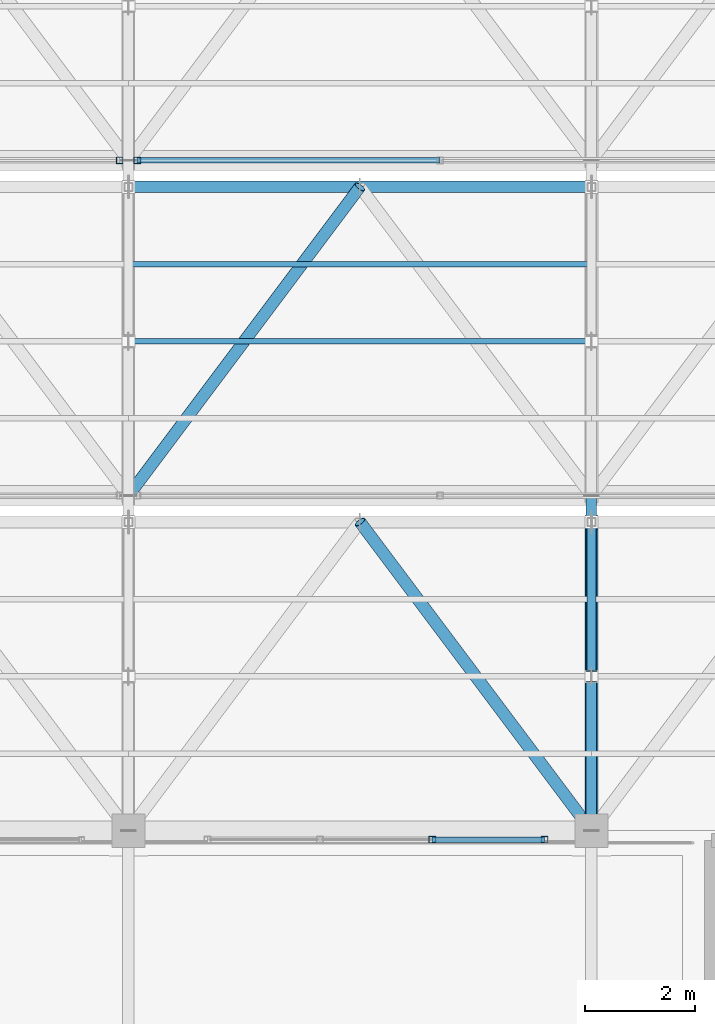
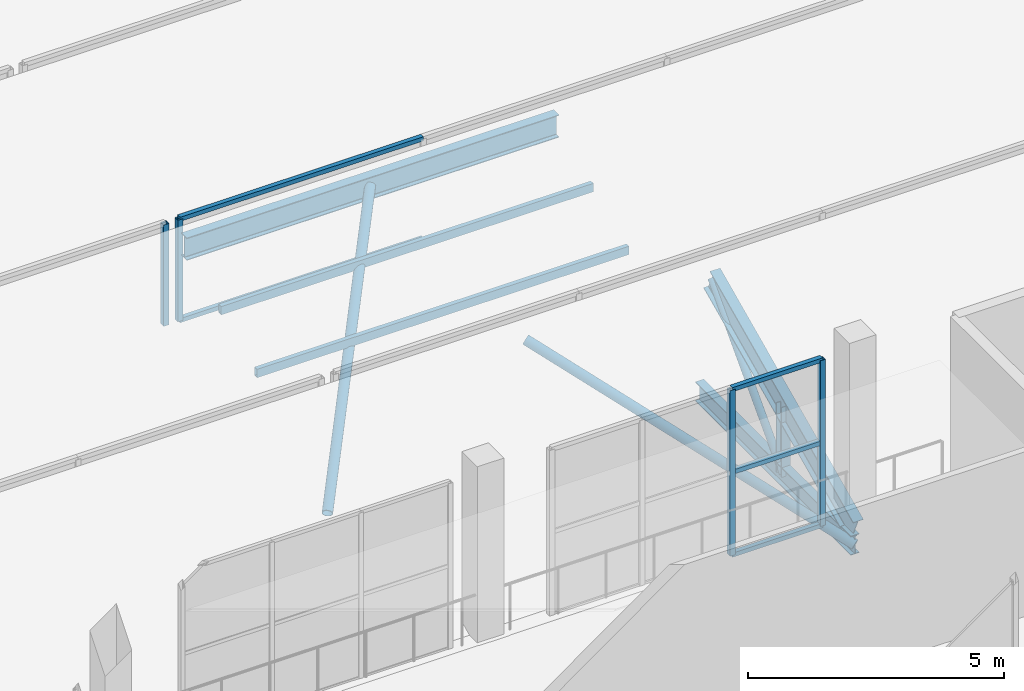
# One storey, part 80 of 217: 18 members, 3 elements without a shape of their own.
"""IFC4 building model written with IfcOpenShell, lengths in metres."""

from ifc_helpers import new_model, si_unit, direction, frame, origin, origin_2d, place, context, subcontext, project, spatial, hollow_rectangle, hollow_circle, i_section, extrude, material, material_profile, profile_set, type_object, element, aggregate, save


model = new_model("IFC4")

# Units and contexts
model_context = context("Model", 3, precision=1e-05, world=origin(), true_north=direction((0.0, 1.0)))
body_context = subcontext(model_context, "Body", "Model", "MODEL_VIEW")
ifc_project = project(units=[si_unit("LENGTHUNIT", "METRE"), si_unit("AREAUNIT", "SQUARE_METRE"), si_unit("VOLUMEUNIT", "CUBIC_METRE"), si_unit("PLANEANGLEUNIT", "RADIAN"), si_unit("MASSUNIT", "GRAM", prefix="KILO")], contexts=[model_context])

# Site, building, storey
site_placement = place(None, origin())
site = spatial("IfcSite", under=ifc_project, at=site_placement, CompositionType="ELEMENT")
building_placement = place(site_placement, origin())
building = spatial("IfcBuilding", under=site, at=building_placement, Name="Zuvorla Pavilion Media Centre", CompositionType="ELEMENT")
storey_placement = place(building_placement, frame((0.0, 0.0, 9.60009765625)))
storey = spatial("IfcBuildingStorey", under=building, at=storey_placement, Name="L02", CompositionType="ELEMENT", Elevation=9.60009765625)

# Curtain wall, members
ifc_material_1 = material(Name="Unitised anodised aluminium and solar glass curtain wall", Category="aluminium")
curtain_wall_type_1 = type_object("IfcCurtainWallType", Name="CW-SYS-14", PredefinedType="USERDEFINED", material=ifc_material_1)
curtain_wall_1_placement = place(storey_placement, origin())
curtain_wall_1 = element("IfcCurtainWall", 1, at=curtain_wall_1_placement, inside=storey, type_object=curtain_wall_type_1, Name="L02 curtain wall CW14 19", ObjectType="CURTAIN WALL", PredefinedType="USERDEFINED")
ifc_material_2 = material(Name="Anodised aluminium 6063-T6", Category="aluminium")
ifc_material_profile_1 = material_profile(ifc_material_2, hollow_rectangle(XDim=0.1201171875, YDim=0.1201171875, WallThickness=0.0048828125, at=origin_2d()), Name="ALU MULL 120x120")
ifc_profile_set_1 = profile_set([ifc_material_profile_1], Name="Anodised aluminium 6063-T6")
member_type_1 = type_object("IfcMemberType", Name="CW-MULL-120", PredefinedType="MULLION", material=ifc_profile_set_1)
member_1_placement = place(storey_placement, frame((91.149658203125, 89.43994140625, 0.0), z_axis=(0.0, 0.0, 1.0), x_axis=(1.0, 0.0, 0.0)))
member_1 = element("IfcMember", 2, at=member_1_placement, type_object=member_type_1, Name="CW14 mullion 1", PredefinedType="MULLION", context=body_context, shape_type="SweptSolid", body=[
    extrude(hollow_rectangle(XDim=0.1201171875, YDim=0.1201171875, WallThickness=0.0048828125, at=origin_2d()), origin(), (0.0, 0.0, 1.0), 3.949951171875),
])
member_2_placement = place(storey_placement, frame((89.111572265625, 89.43994140625, 0.0), z_axis=(0.0, 0.0, 1.0), x_axis=(1.0, 0.0, 0.0)))
member_2 = element("IfcMember", 3, at=member_2_placement, type_object=member_type_1, Name="CW14 mullion 2", PredefinedType="MULLION", context=body_context, shape_type="SweptSolid", body=[
    extrude(hollow_rectangle(XDim=0.1201171875, YDim=0.1201171875, WallThickness=0.0048828125, at=origin_2d()), origin(), (0.0, 0.0, 1.0), 3.949951171875),
])

# Curtain wall, member
curtain_wall_type_2 = type_object("IfcCurtainWallType", Name="CW-SYS-88", PredefinedType="USERDEFINED", material=ifc_material_1)
curtain_wall_2_placement = place(storey_placement, origin())
curtain_wall_2 = element("IfcCurtainWall", 4, at=curtain_wall_2_placement, inside=storey, type_object=curtain_wall_type_2, Name="L02 curtain wall CW88 204", ObjectType="CURTAIN WALL", PredefinedType="USERDEFINED")
member_3_placement = place(storey_placement, frame((83.43994140625, 101.760009765625, 0.0), z_axis=(0.0, 0.0, 1.0), x_axis=(1.0, 0.0, 0.0)))
member_3 = element("IfcMember", 5, at=member_3_placement, type_object=member_type_1, Name="CW88 mullion 4", PredefinedType="MULLION", context=body_context, shape_type="SweptSolid", body=[
    extrude(hollow_rectangle(XDim=0.1201171875, YDim=0.1201171875, WallThickness=0.0048828125, at=origin_2d()), origin(), (0.0, 0.0, 1.0), 2.419921875),
])
aggregate(curtain_wall_2, [member_3])

curtain_wall_3_placement = place(storey_placement, origin())
curtain_wall_3 = element("IfcCurtainWall", 6, at=curtain_wall_3_placement, inside=storey, type_object=curtain_wall_type_2, Name="L02 curtain wall CW88 205", ObjectType="CURTAIN WALL", PredefinedType="USERDEFINED")
member_4_placement = place(storey_placement, frame((83.760009765625, 101.760009765625, 0.0), z_axis=(0.0, 0.0, 1.0), x_axis=(1.0, 0.0, 0.0)))
member_4 = element("IfcMember", 7, at=member_4_placement, type_object=member_type_1, Name="CW88 mullion 1", PredefinedType="MULLION", context=body_context, shape_type="SweptSolid", body=[
    extrude(hollow_rectangle(XDim=0.1201171875, YDim=0.1201171875, WallThickness=0.0048828125, at=origin_2d()), origin(), (0.0, 0.0, 1.0), 2.419921875),
])

# Member
ifc_material_profile_2 = material_profile(ifc_material_2, hollow_rectangle(XDim=0.10009765625, YDim=0.10009765625, WallThickness=0.00439453125, at=origin_2d()), Name="ALU TRAN 100x100")
ifc_profile_set_2 = profile_set([ifc_material_profile_2], Name="Anodised aluminium 6063-T6")
member_type_2 = type_object("IfcMemberType", Name="CW-TRAN-100", PredefinedType="USERDEFINED", material=ifc_profile_set_2)
member_5_placement = place(storey_placement, frame((91.149658203125, 89.43994140625, 0.0), z_axis=(-1.0, 0.0, 0.0), x_axis=(0.0, -1.0, 0.0)))
member_5 = element("IfcMember", 8, at=member_5_placement, type_object=member_type_2, Name="CW14 transom 1.1", ObjectType="TRANSOM", PredefinedType="USERDEFINED", context=body_context, shape_type="SweptSolid", body=[
    extrude(hollow_rectangle(XDim=0.10009765625, YDim=0.10009765625, WallThickness=0.00439453125, at=origin_2d()), origin(), (0.0, 0.0, 1.0), 2.0380859375),
])

member_6_placement = place(storey_placement, frame((91.149658203125, 89.43994140625, 1.974853515625), z_axis=(-1.0, 0.0, 0.0), x_axis=(0.0, -1.0, 0.0)))
member_6 = element("IfcMember", 9, at=member_6_placement, type_object=member_type_2, Name="CW14 transom 1.2", ObjectType="TRANSOM", PredefinedType="USERDEFINED", context=body_context, shape_type="SweptSolid", body=[
    extrude(hollow_rectangle(XDim=0.10009765625, YDim=0.10009765625, WallThickness=0.00439453125, at=origin_2d()), origin(), (0.0, 0.0, 1.0), 2.0380859375),
])

member_7_placement = place(storey_placement, frame((91.149658203125, 89.43994140625, 3.949951171875), z_axis=(-1.0, 0.0, 0.0), x_axis=(0.0, -1.0, 0.0)))
member_7 = element("IfcMember", 10, at=member_7_placement, type_object=member_type_2, Name="CW14 transom 1.3", ObjectType="TRANSOM", PredefinedType="USERDEFINED", context=body_context, shape_type="SweptSolid", body=[
    extrude(hollow_rectangle(XDim=0.10009765625, YDim=0.10009765625, WallThickness=0.00439453125, at=origin_2d()), origin(), (0.0, 0.0, 1.0), 2.0380859375),
])

aggregate(curtain_wall_1, [member_1, member_2, member_5, member_6, member_7])

member_8_placement = place(storey_placement, frame((83.760009765625, 101.760009765625, 0.0), z_axis=(1.0, 0.0, 0.0), x_axis=(0.0, 1.0, 0.0)))
member_8 = element("IfcMember", 11, at=member_8_placement, type_object=member_type_2, Name="CW88 transom 1.1", ObjectType="TRANSOM", PredefinedType="USERDEFINED", context=body_context, shape_type="SweptSolid", body=[
    extrude(hollow_rectangle(XDim=0.10009765625, YDim=0.10009765625, WallThickness=0.00439453125, at=origin_2d()), origin(), (0.0, 0.0, 1.0), 5.493408203125),
])

member_9_placement = place(storey_placement, frame((83.760009765625, 101.760009765625, 2.419921875), z_axis=(1.0, 0.0, 0.0), x_axis=(0.0, 1.0, 0.0)))
member_9 = element("IfcMember", 12, at=member_9_placement, type_object=member_type_2, Name="CW88 transom 1.2", ObjectType="TRANSOM", PredefinedType="USERDEFINED", context=body_context, shape_type="SweptSolid", body=[
    extrude(hollow_rectangle(XDim=0.10009765625, YDim=0.10009765625, WallThickness=0.00439453125, at=origin_2d()), origin(), (0.0, 0.0, 1.0), 5.493408203125),
])

aggregate(curtain_wall_3, [member_4, member_8, member_9])

# Members
ifc_material_3 = material(Name="Steel S355", Category="steel")
ifc_material_profile_3 = material_profile(ifc_material_3, hollow_circle(Radius=0.084228515625, WallThickness=0.008056640625, at=origin_2d()), Name="CHS 168.3x8")
ifc_profile_set_3 = profile_set([ifc_material_profile_3], Name="Steel S355")
member_type_3 = type_object("IfcMemberType", Name="MEM-BRC-CHS168", PredefinedType="BRACE", material=ifc_profile_set_3)
member_10_placement = place(storey_placement, frame((92.0, 92.39990234375, -0.880126953125), z_axis=(0.0, 0.68676242614, 0.726881950555), x_axis=(-1.0, 0.0, 0.0)))
element("IfcMember", 13, at=member_10_placement, inside=storey, type_object=member_type_3, Name="L02 diagonal brace TB03 51", PredefinedType="BRACE", context=body_context, shape_type="SweptSolid", body=[
    extrude(hollow_circle(Radius=0.084228515625, WallThickness=0.008056640625, at=origin_2d()), origin(), (0.0, 0.0, 1.0), 4.0771484375),
])
ifc_material_profile_4 = material_profile(ifc_material_3, hollow_circle(Radius=0.109619140625, WallThickness=0.010009765625, at=origin_2d()), Name="CHS 219.1x10")
ifc_profile_set_4 = profile_set([ifc_material_profile_4], Name="Steel S355")
member_type_4 = type_object("IfcMemberType", Name="MEM-BRC-CHS219", PredefinedType="BRACE", material=ifc_profile_set_4)
member_11_placement = place(storey_placement, frame((87.800048828125, 95.199951171875, 2.08349609375), z_axis=(0.552524670006, -0.736688854033, -0.389879495972), x_axis=(0.799995814625, 0.600005580459, 0.0)))
element("IfcMember", 14, at=member_11_placement, inside=storey, type_object=member_type_4, Name="L02 diagonal brace TB02 92", PredefinedType="BRACE", context=body_context, shape_type="SweptSolid", body=[
    extrude(hollow_circle(Radius=0.109619140625, WallThickness=0.010009765625, at=origin_2d()), origin(), (0.0, 0.0, 1.0), 7.601318359375),
])
member_12_placement = place(storey_placement, frame((83.60009765625, 95.679931640625, -0.880126953125), z_axis=(0.552511596944, 0.736703540702, 0.389870271191), x_axis=(-0.800008370399, 0.599988839305, 0.0)))
element("IfcMember", 15, at=member_12_placement, inside=storey, type_object=member_type_4, Name="L02 diagonal brace TB02 184", PredefinedType="BRACE", context=body_context, shape_type="SweptSolid", body=[
    extrude(hollow_circle(Radius=0.109619140625, WallThickness=0.010009765625, at=origin_2d()), origin(), (0.0, 0.0, 1.0), 7.6015625),
])
ifc_material_profile_5 = material_profile(ifc_material_3, i_section(OverallWidth=0.19140625, OverallDepth=0.4599609375, WebThickness=0.010009765625, FlangeThickness=0.01611328125, FilletRadius=0.01025390625, at=origin_2d()), Name="UB 457x191x82")
ifc_profile_set_5 = profile_set([ifc_material_profile_5], Name="Steel S355")
member_type_5 = type_object("IfcMemberType", Name="MEM-CHD-UB457", PredefinedType="CHORD", material=ifc_profile_set_5)
member_13_placement = place(storey_placement, frame((92.0, 89.60009765625, -0.880126953125), z_axis=(0.0, 1.0, 0.0), x_axis=(-1.0, 0.0, 0.0)))
element("IfcMember", 16, at=member_13_placement, inside=storey, type_object=member_type_5, Name="L02 chord TC03 48", PredefinedType="CHORD", context=body_context, shape_type="SweptSolid", body=[
    extrude(i_section(OverallWidth=0.19140625, OverallDepth=0.4599609375, WebThickness=0.010009765625, FlangeThickness=0.01611328125, FilletRadius=0.01025390625, at=origin_2d()), origin(), (0.0, 0.0, 1.0), 6.079833984375),
])
ifc_material_profile_6 = material_profile(ifc_material_3, i_section(OverallWidth=0.2099609375, OverallDepth=0.53662109375, WebThickness=0.0107421875, FlangeThickness=0.017333984375, FilletRadius=0.0126953125, at=origin_2d()), Name="UB 533x210x101")
ifc_profile_set_6 = profile_set([ifc_material_profile_6], Name="Steel S355")
member_type_6 = type_object("IfcMemberType", Name="MEM-CHD-UB533", PredefinedType="CHORD", material=ifc_profile_set_6)
member_14_placement = place(storey_placement, frame((83.60009765625, 101.280029296875, 2.08349609375), z_axis=(1.0, 0.0, 0.0), x_axis=(0.0, 1.0, 0.0)))
element("IfcMember", 17, at=member_14_placement, inside=storey, type_object=member_type_6, Name="L02 chord TC02 183", PredefinedType="CHORD", context=body_context, shape_type="SweptSolid", body=[
    extrude(i_section(OverallWidth=0.2099609375, OverallDepth=0.53662109375, WebThickness=0.0107421875, FlangeThickness=0.017333984375, FilletRadius=0.0126953125, at=origin_2d()), origin(), (0.0, 0.0, 1.0), 8.39990234375),
])
ifc_material_profile_7 = material_profile(ifc_material_3, i_section(OverallWidth=0.22900390625, OverallDepth=0.6123046875, WebThickness=0.011962890625, FlangeThickness=0.01953125, FilletRadius=0.0126953125, at=origin_2d()), Name="UB 610x229x125")
ifc_profile_set_7 = profile_set([ifc_material_profile_7], Name="Steel S355")
member_type_7 = type_object("IfcMemberType", Name="MEM-CHD-UB610", PredefinedType="CHORD", material=ifc_profile_set_7)
member_15_placement = place(storey_placement, frame((92.0, 89.60009765625, -0.5166015625), z_axis=(0.0, 0.906998718654, 0.421133380724), x_axis=(-1.0, 0.0, 0.0)))
element("IfcMember", 18, at=member_15_placement, inside=storey, type_object=member_type_7, Name="L02 chord TC01 49", PredefinedType="CHORD", context=body_context, shape_type="SweptSolid", body=[
    extrude(i_section(OverallWidth=0.22900390625, OverallDepth=0.6123046875, WebThickness=0.011962890625, FlangeThickness=0.01953125, FilletRadius=0.0126953125, at=origin_2d()), origin(), (0.0, 0.0, 1.0), 6.174072265625),
])
ifc_material_profile_8 = material_profile(ifc_material_3, hollow_rectangle(XDim=0.10009765625, YDim=0.199951171875, WallThickness=0.008056640625, at=origin_2d()), Name="RHS 200x100x8")
ifc_profile_set_8 = profile_set([ifc_material_profile_8], Name="Steel S355")
member_type_8 = type_object("IfcMemberType", Name="MEM-PUR-RHS200", PredefinedType="PURLIN", material=ifc_profile_set_8)
for number, where, z_axis, x_axis, name in (
    (19, (83.60009765625, 98.47998046875, 0.783447265625), (1.0, 0.0, 0.0), (0.0, 1.0, 0.0), "L02 purlin PR01 187"),
    (20, (83.60009765625, 99.8798828125, 1.43359375), (1.0, 0.0, 0.0), (0.0, 1.0, 0.0), "L02 purlin PR01 188"),
):
    element("IfcMember", number, at=place(storey_placement, frame(where, z_axis=z_axis, x_axis=x_axis)), inside=storey, type_object=member_type_8, Name=name, PredefinedType="PURLIN", context=body_context, shape_type="SweptSolid", body=[
        extrude(hollow_rectangle(XDim=0.10009765625, YDim=0.199951171875, WallThickness=0.008056640625, at=origin_2d()), origin(), (0.0, 0.0, 1.0), 8.39990234375),
    ])
ifc_material_profile_9 = material_profile(ifc_material_3, i_section(OverallWidth=0.205810546875, OverallDepth=0.209716796875, WebThickness=0.009521484375, FlangeThickness=0.01416015625, FilletRadius=0.01025390625, at=origin_2d()), Name="UC 203x203x60")
ifc_profile_set_9 = profile_set([ifc_material_profile_9], Name="Steel S355")
member_type_9 = type_object("IfcMemberType", Name="MEM-STR-UC203", PredefinedType="STRUT", material=ifc_profile_set_9)
member_16_placement = place(storey_placement, frame((92.0, 92.39990234375, -0.880126953125), z_axis=(0.0, 0.0, 1.0), x_axis=(1.0, 0.0, 0.0)))
element("IfcMember", 21, at=member_16_placement, inside=storey, type_object=member_type_9, Name="L02 vertical strut TS02 52", PredefinedType="STRUT", context=body_context, shape_type="SweptSolid", body=[
    extrude(i_section(OverallWidth=0.205810546875, OverallDepth=0.209716796875, WebThickness=0.009521484375, FlangeThickness=0.01416015625, FilletRadius=0.01025390625, at=origin_2d()), origin(), (0.0, 0.0, 1.0), 1.66357421875),
])

save(model, "model.ifc")
